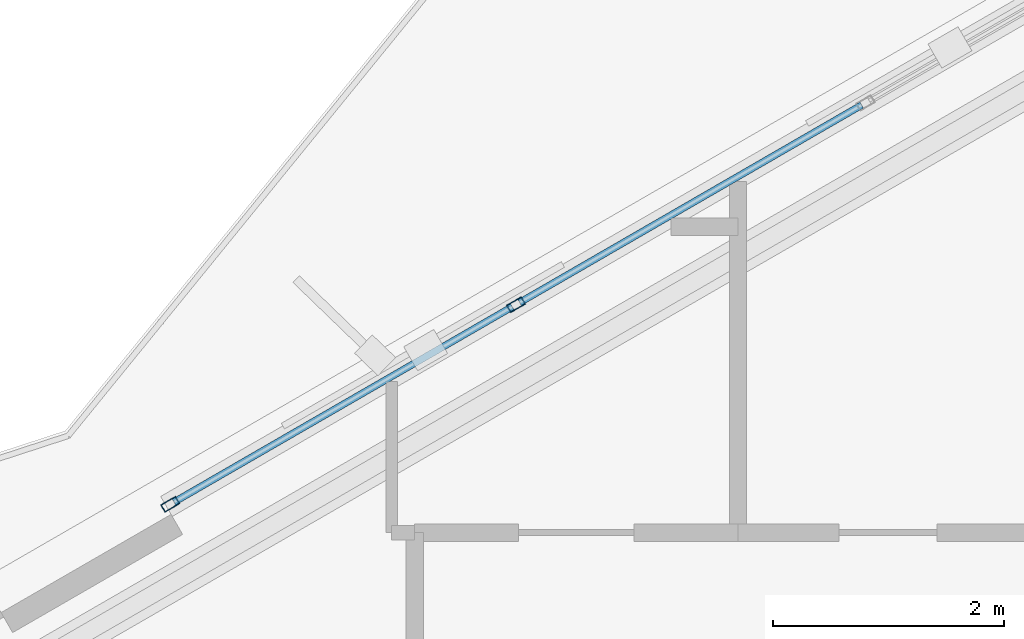
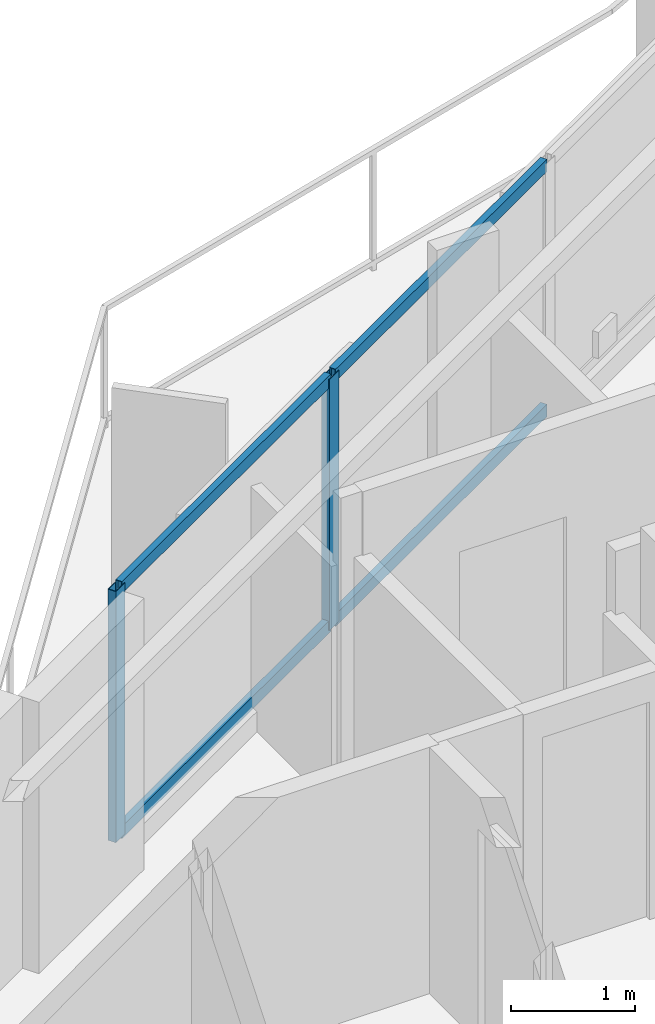
# One storey, part 5 of 19: 6 members, 1 element without a shape of its own.
"""IFC4 building model written with IfcOpenShell, lengths in metres."""

from ifc_helpers import new_model, si_unit, direction, frame, origin, origin_2d, place, context, subcontext, project, spatial, hollow_rectangle, extrude, material, layer, layer_set, material_profile, profile_set, type_object, element, aggregate, save


model = new_model("IFC4")

# Units and contexts
model_context = context("Model", 3, precision=1e-05, world=origin(), true_north=direction((0.0, 1.0)))
body_context = subcontext(model_context, "Body", "Model", "MODEL_VIEW")
ifc_project = project(units=[si_unit("LENGTHUNIT", "METRE"), si_unit("AREAUNIT", "SQUARE_METRE"), si_unit("VOLUMEUNIT", "CUBIC_METRE"), si_unit("PLANEANGLEUNIT", "RADIAN"), si_unit("MASSUNIT", "GRAM", prefix="KILO")], contexts=[model_context])

# Site, building, storey
site_placement = place(None, origin())
site = spatial("IfcSite", under=ifc_project, at=site_placement, CompositionType="ELEMENT")
building_placement = place(site_placement, origin())
building = spatial("IfcBuilding", under=site, at=building_placement, Name="Mersakhor Tower and Convention Hall", CompositionType="ELEMENT")
storey_placement = place(building_placement, frame((0.0, 0.0, 147.60009765625)))
storey = spatial("IfcBuildingStorey", under=building, at=storey_placement, Name="L41", CompositionType="ELEMENT", Elevation=147.60009765625)

# Curtain wall, members
ifc_material_1 = material(Name="Dark solar low-E aluminium curtain wall", Category="aluminium")
ifc_layer = layer(ifc_material_1, 0.169921875)
ifc_layer_set = layer_set([ifc_layer], Name="Dark solar low-E aluminium curtain wall")
curtain_wall_type = type_object("IfcCurtainWallType", Name="CW-SYS-02", PredefinedType="USERDEFINED", material=ifc_layer_set)
curtain_wall_placement = place(storey_placement, origin())
curtain_wall = element("IfcCurtainWall", 1, at=curtain_wall_placement, inside=storey, type_object=curtain_wall_type, Name="L41 Dark-Glass Curtain Wall F1-B2", ObjectType="CURTAIN WALL", PredefinedType="USERDEFINED")
ifc_material_2 = material(Name="Anodised aluminium EN AW-6063 T6", Category="aluminium")
ifc_material_profile_1 = material_profile(ifc_material_2, hollow_rectangle(XDim=0.074951171875, YDim=0.14990234375, WallThickness=0.00634765625, at=origin_2d()), Name="RHS 150x75x6.3")
ifc_profile_set_1 = profile_set([ifc_material_profile_1], Name="Anodised aluminium EN AW-6063 T6")
member_type_1 = type_object("IfcMemberType", Name="CWM-150x75", PredefinedType="MULLION", material=ifc_profile_set_1)
member_1_placement = place(storey_placement, frame((17.88232421875, 35.595458984375, 0.199951171875), z_axis=(0.0, 0.0, 1.0), x_axis=(-0.499990468363, 0.866030906807, 0.0)))
member_1 = element("IfcMember", 2, at=member_1_placement, type_object=member_type_1, Name="CW-02 mullion 1", PredefinedType="MULLION", context=body_context, shape_type="SweptSolid", body=[
    extrude(hollow_rectangle(XDim=0.074951171875, YDim=0.14990234375, WallThickness=0.00634765625, at=origin_2d()), origin(), (0.0, 0.0, 1.0), 2.47998046875),
])
member_2_placement = place(storey_placement, frame((20.876953125, 37.32421875, 0.199951171875), z_axis=(0.0, 0.0, 1.0), x_axis=(-0.499990468363, 0.866030906807, 0.0)))
member_2 = element("IfcMember", 3, at=member_2_placement, type_object=member_type_1, Name="CW-02 mullion 2", PredefinedType="MULLION", context=body_context, shape_type="SweptSolid", body=[
    extrude(hollow_rectangle(XDim=0.074951171875, YDim=0.14990234375, WallThickness=0.00634765625, at=origin_2d()), origin(), (0.0, 0.0, 1.0), 2.47998046875),
])
ifc_material_3 = material(Name="Anodised aluminium EN AW-6063 T6", Category="aluminium")
ifc_material_profile_2 = material_profile(ifc_material_3, hollow_rectangle(XDim=0.06005859375, YDim=0.1201171875, WallThickness=0.0048828125, at=origin_2d()), Name="RHS 120x60x5")
ifc_profile_set_2 = profile_set([ifc_material_profile_2], Name="Anodised aluminium EN AW-6063 T6")
member_type_2 = type_object("IfcMemberType", Name="CWT-120x60", PredefinedType="USERDEFINED", material=ifc_profile_set_2)
member_3_placement = place(storey_placement, frame((17.914794921875, 35.6142578125, 0.22998046875), z_axis=(0.866031754707, 0.499988999718, 0.0), x_axis=(-0.499988999718, 0.866031754707, 0.0)))
member_3 = element("IfcMember", 4, at=member_3_placement, type_object=member_type_2, Name="CW-02 transom 1.1", ObjectType="TRANSOM", PredefinedType="USERDEFINED", context=body_context, shape_type="SweptSolid", body=[
    extrude(hollow_rectangle(XDim=0.06005859375, YDim=0.1201171875, WallThickness=0.0048828125, at=origin_2d()), origin(), (0.0, 0.0, 1.0), 3.3828125),
])
member_4_placement = place(storey_placement, frame((17.914794921875, 35.6142578125, 2.64990234375), z_axis=(0.866031754707, 0.499988999718, 0.0), x_axis=(-0.499988999718, 0.866031754707, 0.0)))
member_4 = element("IfcMember", 5, at=member_4_placement, type_object=member_type_2, Name="CW-02 transom 1.2", ObjectType="TRANSOM", PredefinedType="USERDEFINED", context=body_context, shape_type="SweptSolid", body=[
    extrude(hollow_rectangle(XDim=0.06005859375, YDim=0.1201171875, WallThickness=0.0048828125, at=origin_2d()), origin(), (0.0, 0.0, 1.0), 3.3828125),
])
member_5_placement = place(storey_placement, frame((20.909423828125, 37.343017578125, 0.22998046875), z_axis=(0.866007273829, 0.50003140069, 0.0), x_axis=(-0.50003140069, 0.866007273829, 0.0)))
member_5 = element("IfcMember", 6, at=member_5_placement, type_object=member_type_2, Name="CW-02 transom 2.1", ObjectType="TRANSOM", PredefinedType="USERDEFINED", context=body_context, shape_type="SweptSolid", body=[
    extrude(hollow_rectangle(XDim=0.06005859375, YDim=0.1201171875, WallThickness=0.0048828125, at=origin_2d()), origin(), (0.0, 0.0, 1.0), 3.420166015625),
])
member_6_placement = place(storey_placement, frame((20.909423828125, 37.343017578125, 2.64990234375), z_axis=(0.866007273829, 0.50003140069, 0.0), x_axis=(-0.50003140069, 0.866007273829, 0.0)))
member_6 = element("IfcMember", 7, at=member_6_placement, type_object=member_type_2, Name="CW-02 transom 2.2", ObjectType="TRANSOM", PredefinedType="USERDEFINED", context=body_context, shape_type="SweptSolid", body=[
    extrude(hollow_rectangle(XDim=0.06005859375, YDim=0.1201171875, WallThickness=0.0048828125, at=origin_2d()), origin(), (0.0, 0.0, 1.0), 3.420166015625),
])
aggregate(curtain_wall, [member_1, member_2, member_3, member_4, member_5, member_6])

save(model, "model.ifc")
